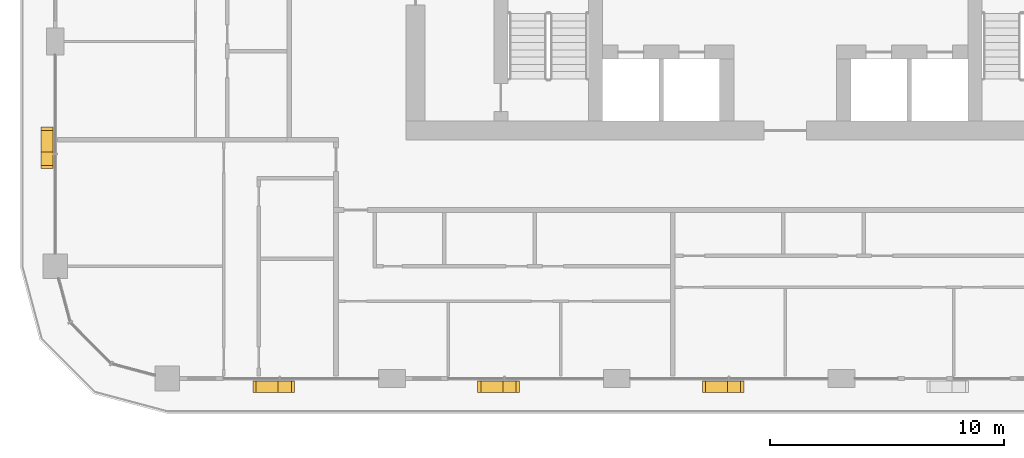
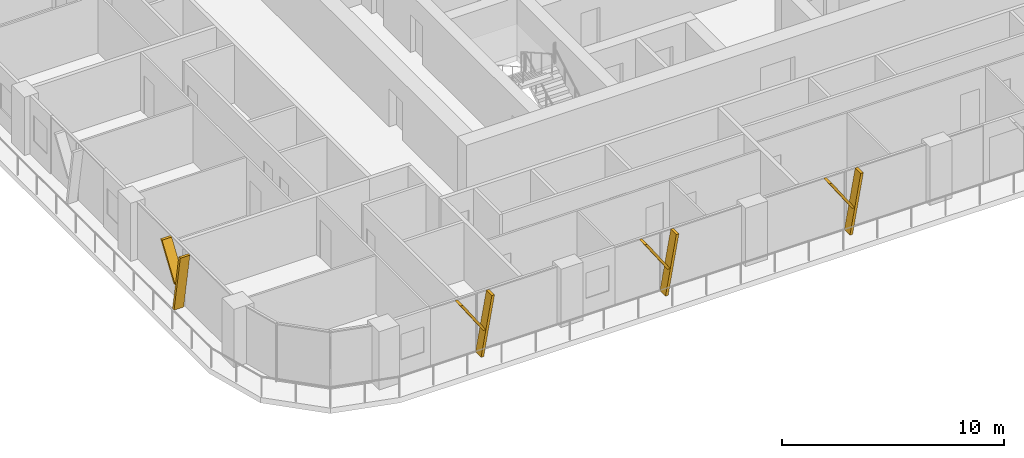
# One storey, part 16 of 22: 8 shading devices.
"""IFC4 building model written with IfcOpenShell, lengths in metres."""

from ifc_helpers import new_model, si_unit, direction, frame, origin, place, context, subcontext, project, spatial, polyline, outline, extrude, material, type_object, element, save


model = new_model("IFC4")

# Units and contexts
model_context = context("Model", 3, precision=1e-05, world=origin(), true_north=direction((0.0, 1.0)))
body_context = subcontext(model_context, "Body", "Model", "MODEL_VIEW")
ifc_project = project(units=[si_unit("LENGTHUNIT", "METRE"), si_unit("AREAUNIT", "SQUARE_METRE"), si_unit("VOLUMEUNIT", "CUBIC_METRE"), si_unit("PLANEANGLEUNIT", "RADIAN"), si_unit("MASSUNIT", "GRAM", prefix="KILO")], contexts=[model_context])

# Site, building, storey
site_placement = place(None, origin())
site = spatial("IfcSite", under=ifc_project, at=site_placement, CompositionType="ELEMENT")
building_placement = place(site_placement, origin())
building = spatial("IfcBuilding", under=site, at=building_placement, Name="Madar Terraces", CompositionType="ELEMENT")
storey_placement = place(building_placement, frame((0.0, 0.0, 126.10009765625)))
storey = spatial("IfcBuildingStorey", under=building, at=storey_placement, Name="L32", CompositionType="ELEMENT", Elevation=126.10009765625)

# Shading devices
ifc_material = material(Name="Aluminium, black anodised", Category="aluminium")
shading_device_type = type_object("IfcShadingDeviceType", Name="Facade fin blade 140 x 500", PredefinedType="USERDEFINED", material=ifc_material)
shading_device_1_placement = place(storey_placement, frame((9.530029296875, 4.449951171875, 0.0), z_axis=(0.0, 0.0, 1.0), x_axis=(1.0, 0.0, 0.0)))
element("IfcShadingDevice", 1, at=shading_device_1_placement, inside=storey, type_object=shading_device_type, Name="FIN L32 S1", ObjectType="FIN", PredefinedType="USERDEFINED", context=body_context, shape_type="SweptSolid", body=[
    extrude(outline(polyline([(0.0, 0.0), (0.139892578125, 0.0), (0.704345703125, 3.199951171875), (0.564208984375, 3.199951171875), (0.0, 0.0)])), frame((0.0, 0.25, 0.0), z_axis=(0.0, -1.0, 0.0), x_axis=(1.0, 0.0, 0.0)), (0.0, 0.0, 1.0), 0.5),
])
shading_device_2_placement = place(storey_placement, frame((9.643798828125, 4.449951171875, 1.43994140625), z_axis=(0.0, 0.0, 1.0), x_axis=(1.0, 0.0, 0.0)))
element("IfcShadingDevice", 2, at=shading_device_2_placement, inside=storey, type_object=shading_device_type, Name="FIN L32 S1 branch", ObjectType="FIN", PredefinedType="USERDEFINED", context=body_context, shape_type="SweptSolid", body=[
    extrude(outline(polyline([(0.0, 0.0), (0.14013671875, 0.0), (-1.049560546875, 1.760009765625), (-1.189697265625, 1.760009765625), (0.0, 0.0)])), frame((0.0, 0.25, 0.0), z_axis=(0.0, -1.0, 0.0), x_axis=(1.0, 0.0, 0.0)), (0.0, 0.0, 1.0), 0.5),
])
shading_device_3_placement = place(storey_placement, frame((19.1298828125, 4.449951171875, 0.0), z_axis=(0.0, 0.0, 1.0), x_axis=(1.0, 0.0, 0.0)))
element("IfcShadingDevice", 3, at=shading_device_3_placement, inside=storey, type_object=shading_device_type, Name="FIN L32 S2", ObjectType="FIN", PredefinedType="USERDEFINED", context=body_context, shape_type="SweptSolid", body=[
    extrude(outline(polyline([(0.0, 0.0), (0.14013671875, 0.0), (0.704345703125, 3.199951171875), (0.564208984375, 3.199951171875), (0.0, 0.0)])), frame((0.0, 0.25, 0.0), z_axis=(0.0, -1.0, 0.0), x_axis=(1.0, 0.0, 0.0)), (0.0, 0.0, 1.0), 0.5),
])
shading_device_4_placement = place(storey_placement, frame((19.243896484375, 4.449951171875, 1.43994140625), z_axis=(0.0, 0.0, 1.0), x_axis=(1.0, 0.0, 0.0)))
element("IfcShadingDevice", 4, at=shading_device_4_placement, inside=storey, type_object=shading_device_type, Name="FIN L32 S2 branch", ObjectType="FIN", PredefinedType="USERDEFINED", context=body_context, shape_type="SweptSolid", body=[
    extrude(outline(polyline([(0.0, 0.0), (0.139892578125, 0.0), (-1.049560546875, 1.760009765625), (-1.189697265625, 1.760009765625), (0.0, 0.0)])), frame((0.0, 0.25, 0.0), z_axis=(0.0, -1.0, 0.0), x_axis=(1.0, 0.0, 0.0)), (0.0, 0.0, 1.0), 0.5),
])
shading_device_5_placement = place(storey_placement, frame((28.72998046875, 4.449951171875, 0.0), z_axis=(0.0, 0.0, 1.0), x_axis=(1.0, 0.0, 0.0)))
element("IfcShadingDevice", 5, at=shading_device_5_placement, inside=storey, type_object=shading_device_type, Name="FIN L32 S3", ObjectType="FIN", PredefinedType="USERDEFINED", context=body_context, shape_type="SweptSolid", body=[
    extrude(outline(polyline([(0.0, 0.0), (0.14013671875, 0.0), (0.704345703125, 3.199951171875), (0.564208984375, 3.199951171875), (0.0, 0.0)])), frame((0.0, 0.25, 0.0), z_axis=(0.0, -1.0, 0.0), x_axis=(1.0, 0.0, 0.0)), (0.0, 0.0, 1.0), 0.5),
])
shading_device_6_placement = place(storey_placement, frame((28.843994140625, 4.449951171875, 1.43994140625), z_axis=(0.0, 0.0, 1.0), x_axis=(1.0, 0.0, 0.0)))
element("IfcShadingDevice", 6, at=shading_device_6_placement, inside=storey, type_object=shading_device_type, Name="FIN L32 S3 branch", ObjectType="FIN", PredefinedType="USERDEFINED", context=body_context, shape_type="SweptSolid", body=[
    extrude(outline(polyline([(0.0, 0.0), (0.139892578125, 0.0), (-1.049560546875, 1.760009765625), (-1.189697265625, 1.760009765625), (0.0, 0.0)])), frame((0.0, 0.25, 0.0), z_axis=(0.0, -1.0, 0.0), x_axis=(1.0, 0.0, 0.0)), (0.0, 0.0, 1.0), 0.5),
])
shading_device_7_placement = place(storey_placement, frame((-0.35009765625, 14.469970703125, 0.0), z_axis=(0.0, 0.0, 1.0), x_axis=(0.0, -1.0, 0.0)))
element("IfcShadingDevice", 7, at=shading_device_7_placement, inside=storey, type_object=shading_device_type, Name="FIN L32 W4", ObjectType="FIN", PredefinedType="USERDEFINED", context=body_context, shape_type="SweptSolid", body=[
    extrude(outline(polyline([(0.0, 0.0), (0.139892578125, 0.0), (0.704345703125, 3.199951171875), (0.564208984375, 3.199951171875), (0.0, 0.0)])), frame((0.0, 0.25, 0.0), z_axis=(0.0, -1.0, 0.0), x_axis=(1.0, 0.0, 0.0)), (0.0, 0.0, 1.0), 0.5),
])
shading_device_8_placement = place(storey_placement, frame((-0.35009765625, 14.356201171875, 1.43994140625), z_axis=(0.0, 0.0, 1.0), x_axis=(0.0, -1.0, 0.0)))
element("IfcShadingDevice", 8, at=shading_device_8_placement, inside=storey, type_object=shading_device_type, Name="FIN L32 W4 branch", ObjectType="FIN", PredefinedType="USERDEFINED", context=body_context, shape_type="SweptSolid", body=[
    extrude(outline(polyline([(0.0, 0.0), (0.14013671875, 0.0), (-1.049560546875, 1.760009765625), (-1.189697265625, 1.760009765625), (0.0, 0.0)])), frame((0.0, 0.25, 0.0), z_axis=(0.0, -1.0, 0.0), x_axis=(1.0, 0.0, 0.0)), (0.0, 0.0, 1.0), 0.5),
])

save(model, "model.ifc")
